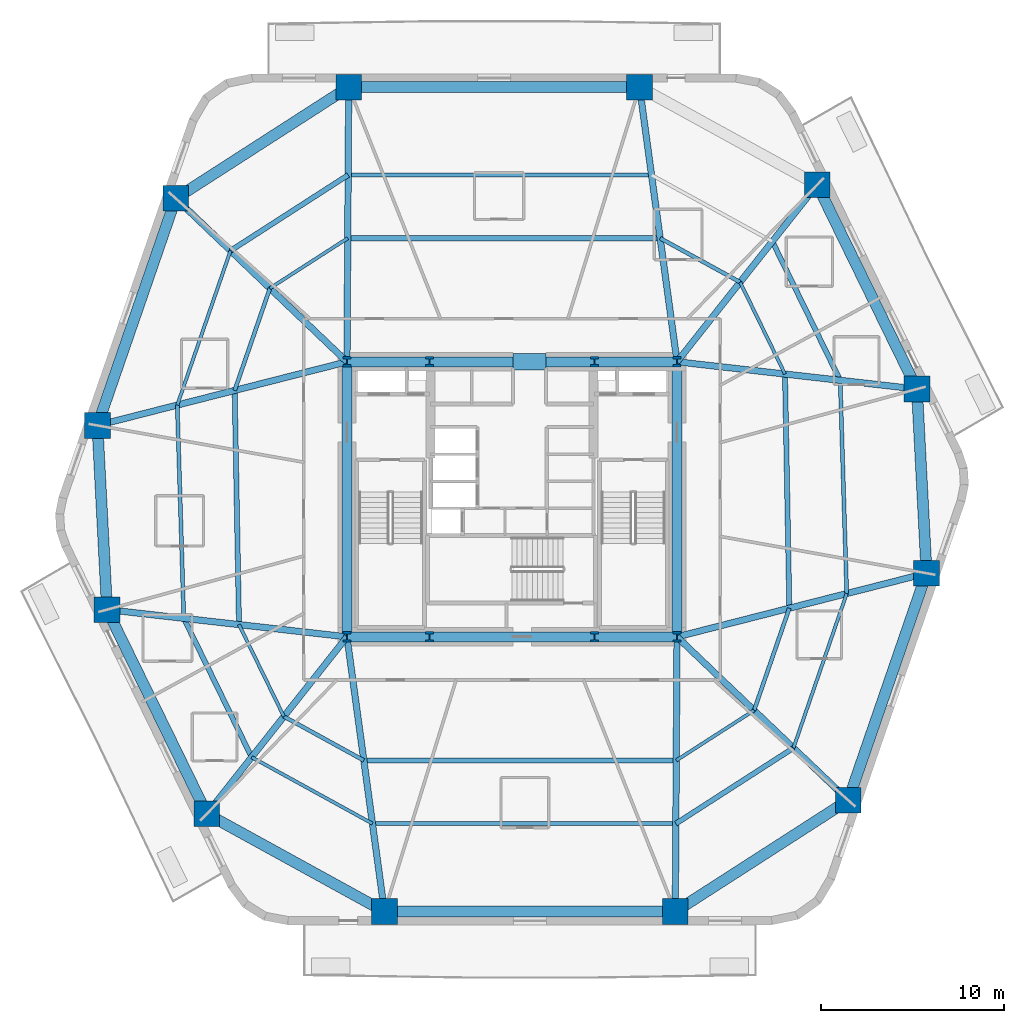
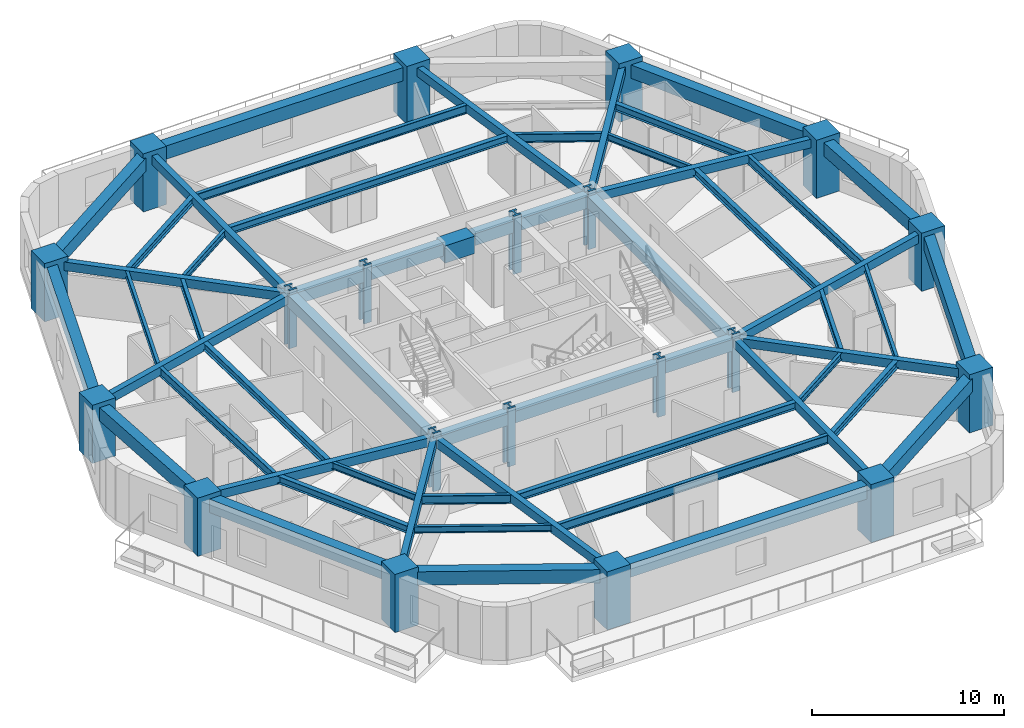
# One storey, part 1 of 10: 55 beams, 20 columns.
"""IFC4 building model written with IfcOpenShell, lengths in metres."""

from ifc_helpers import new_model, si_unit, direction, frame, origin, origin_2d, place, context, subcontext, project, spatial, rectangle, i_section, extrude, material, material_profile, profile_set, type_object, element, save


model = new_model("IFC4")

# Units and contexts
model_context = context("Model", 3, precision=1e-05, world=origin(), true_north=direction((0.0, 1.0)))
body_context = subcontext(model_context, "Body", "Model", "MODEL_VIEW")
ifc_project = project(units=[si_unit("LENGTHUNIT", "METRE"), si_unit("AREAUNIT", "SQUARE_METRE"), si_unit("VOLUMEUNIT", "CUBIC_METRE"), si_unit("PLANEANGLEUNIT", "RADIAN"), si_unit("MASSUNIT", "GRAM", prefix="KILO")], contexts=[model_context])

# Site, building, storey
site_placement = place(None, origin())
site = spatial("IfcSite", under=ifc_project, at=site_placement, CompositionType="ELEMENT")
building_placement = place(site_placement, origin())
building = spatial("IfcBuilding", under=site, at=building_placement, Name="Kilnhurst Terrace Hotel", CompositionType="ELEMENT")
storey_placement = place(building_placement, frame((0.0, 0.0, 63.800048828125)))
storey = spatial("IfcBuildingStorey", under=building, at=storey_placement, Name="L14", CompositionType="ELEMENT", Elevation=63.800048828125)

# Columns
ifc_material_1 = material(Name="Concrete C80/95", Category="concrete")
ifc_material_profile_1 = material_profile(ifc_material_1, rectangle(XDim=1.39990234375, YDim=1.39990234375, at=origin_2d()), Name="RC1400X1400")
ifc_profile_set_1 = profile_set([ifc_material_profile_1], Name="Concrete C80/95")
column_type_1 = type_object("IfcColumnType", Name="COL-RC-1400", PredefinedType="COLUMN", material=ifc_profile_set_1)
for number, where, z_axis, x_axis, name in (
    (1, (-6.955078125, -22.47998046875, 0.0), (0.0, 0.0, 1.0), (1.0, 0.0, 0.0), "L14 Structural Column PC-F11"),
    (2, (8.905029296875, -22.47998046875, 0.0), (0.0, 0.0, 1.0), (1.0, 0.0, 0.0), "L14 Structural Column PC-F12"),
    (3, (18.337890625, -16.410888671875, 0.0), (0.0, 0.0, 1.0), (1.0, 0.0, 0.0), "L14 Structural Column PC-F21"),
    (4, (22.60888671875, -4.029052734375, 0.0), (0.0, 0.0, 1.0), (1.0, 0.0, 0.0), "L14 Structural Column PC-F22"),
    (5, (22.083984375, 6.013916015625, 0.0), (0.0, 0.0, 1.0), (1.0, 0.0, 0.0), "L14 Structural Column PC-F31"),
    (6, (16.64306640625, 17.152099609375, 0.0), (0.0, 0.0, 1.0), (1.0, 0.0, 0.0), "L14 Structural Column PC-F32"),
    (7, (6.955078125, 22.47998046875, 0.0), (0.0, 0.0, 1.0), (1.0, 0.0, 0.0), "L14 Structural Column PC-F41"),
    (8, (-8.905029296875, 22.47998046875, 0.0), (0.0, 0.0, 1.0), (1.0, 0.0, 0.0), "L14 Structural Column PC-F42"),
    (9, (-18.337890625, 16.410888671875, 0.0), (0.0, 0.0, 1.0), (1.0, 0.0, 0.0), "L14 Structural Column PC-F51"),
    (10, (-22.60888671875, 4.029052734375, 0.0), (0.0, 0.0, 1.0), (1.0, 0.0, 0.0), "L14 Structural Column PC-F52"),
    (11, (-22.083984375, -6.013916015625, 0.0), (0.0, 0.0, 1.0), (1.0, 0.0, 0.0), "L14 Structural Column PC-F61"),
    (12, (-16.64306640625, -17.152099609375, 0.0), (0.0, 0.0, 1.0), (1.0, 0.0, 0.0), "L14 Structural Column PC-F62"),
):
    element("IfcColumn", number, at=place(storey_placement, frame(where, z_axis=z_axis, x_axis=x_axis)), inside=storey, type_object=column_type_1, Name=name, PredefinedType="COLUMN", context=body_context, shape_type="SweptSolid", body=[
        extrude(rectangle(XDim=1.39990234375, YDim=1.39990234375, at=origin_2d()), origin(), (0.0, 0.0, 1.0), 3.699951171875),
    ])
ifc_material_2 = material(Name="Steel ASTM A992 Grade 50", Category="steel")
ifc_material_profile_2 = material_profile(ifc_material_2, i_section(OverallWidth=0.454345703125, OverallDepth=0.569091796875, WebThickness=0.077880859375, FlangeThickness=0.124755859375, at=origin_2d()), Name="W14X730")
ifc_profile_set_2 = profile_set([ifc_material_profile_2], Name="Steel ASTM A992 Grade 50")
column_type_2 = type_object("IfcColumnType", Name="COL-STL-W14X730", PredefinedType="COLUMN", material=ifc_profile_set_2)
for number, where, z_axis, x_axis, name in (
    (13, (-9.0, -7.5, 0.0), (0.0, 0.0, 1.0), (1.0, 0.0, 0.0), "L14 Structural Column CC-SW"),
    (14, (-4.5, -7.5, 0.0), (0.0, 0.0, 1.0), (1.0, 0.0, 0.0), "L14 Structural Column CC-SC1"),
    (15, (4.5, -7.5, 0.0), (0.0, 0.0, 1.0), (1.0, 0.0, 0.0), "L14 Structural Column CC-SC2"),
    (16, (9.0, -7.5, 0.0), (0.0, 0.0, 1.0), (1.0, 0.0, 0.0), "L14 Structural Column CC-SE"),
    (17, (9.0, 7.5, 0.0), (0.0, 0.0, 1.0), (1.0, 0.0, 0.0), "L14 Structural Column CC-NE"),
    (18, (4.5, 7.5, 0.0), (0.0, 0.0, 1.0), (1.0, 0.0, 0.0), "L14 Structural Column CC-NC2"),
    (19, (-4.5, 7.5, 0.0), (0.0, 0.0, 1.0), (1.0, 0.0, 0.0), "L14 Structural Column CC-NC1"),
    (20, (-9.0, 7.5, 0.0), (0.0, 0.0, 1.0), (1.0, 0.0, 0.0), "L14 Structural Column CC-NW"),
):
    element("IfcColumn", number, at=place(storey_placement, frame(where, z_axis=z_axis, x_axis=x_axis)), inside=storey, type_object=column_type_2, Name=name, PredefinedType="COLUMN", context=body_context, shape_type="SweptSolid", body=[
        extrude(i_section(OverallWidth=0.454345703125, OverallDepth=0.569091796875, WebThickness=0.077880859375, FlangeThickness=0.124755859375, at=origin_2d()), origin(), (0.0, 0.0, 1.0), 3.699951171875),
    ])

# Beams
ifc_material_3 = material(Name="Concrete C50/60", Category="concrete")
ifc_material_profile_3 = material_profile(ifc_material_3, rectangle(XDim=0.35009765625, YDim=0.550048828125, at=origin_2d()), Name="RC350X550")
ifc_profile_set_3 = profile_set([ifc_material_profile_3], Name="Concrete C50/60")
beam_type_1 = type_object("IfcBeamType", Name="BM-RAD-350X550", PredefinedType="BEAM", material=ifc_profile_set_3)
beam_1_placement = place(storey_placement, frame((-9.0, -7.5, 3.125), z_axis=(0.13525588246, -0.990810701527, 0.0), x_axis=(0.990810701527, 0.13525588246, 0.0)))
element("IfcBeam", 21, at=beam_1_placement, inside=storey, type_object=beam_type_1, Name="L14 Radial Floor Beam 1", PredefinedType="BEAM", context=body_context, shape_type="SweptSolid", body=[
    extrude(rectangle(XDim=0.35009765625, YDim=0.550048828125, at=origin_2d()), origin(), (0.0, 0.0, 1.0), 15.118896484375),
])
beam_2_placement = place(storey_placement, frame((9.0, -7.5, 3.125), z_axis=(-0.006339714179, -0.99997990381, 0.0), x_axis=(0.99997990381, -0.006339714179, 0.0)))
element("IfcBeam", 22, at=beam_2_placement, inside=storey, type_object=beam_type_1, Name="L14 Radial Floor Beam 2", PredefinedType="BEAM", context=body_context, shape_type="SweptSolid", body=[
    extrude(rectangle(XDim=0.35009765625, YDim=0.550048828125, at=origin_2d()), origin(), (0.0, 0.0, 1.0), 14.980224609375),
])
beam_3_placement = place(storey_placement, frame((9.0, -7.5, 3.125), z_axis=(0.723454302813, -0.690372270403, 0.0), x_axis=(0.690372270403, 0.723454302813, 0.0)))
element("IfcBeam", 23, at=beam_3_placement, inside=storey, type_object=beam_type_1, Name="L14 Radial Floor Beam 3", PredefinedType="BEAM", context=body_context, shape_type="SweptSolid", body=[
    extrude(rectangle(XDim=0.35009765625, YDim=0.550048828125, at=origin_2d()), origin(), (0.0, 0.0, 1.0), 12.907470703125),
])
beam_4_placement = place(storey_placement, frame((9.0, -7.5, 3.125), z_axis=(0.968980179812, 0.247138445273, 0.0), x_axis=(-0.247138445273, 0.968980179812, 0.0)))
element("IfcBeam", 24, at=beam_4_placement, inside=storey, type_object=beam_type_1, Name="L14 Radial Floor Beam 4", PredefinedType="BEAM", context=body_context, shape_type="SweptSolid", body=[
    extrude(rectangle(XDim=0.35009765625, YDim=0.550048828125, at=origin_2d()), origin(), (0.0, 0.0, 1.0), 14.04443359375),
])
beam_5_placement = place(storey_placement, frame((9.0, 7.5, 3.125), z_axis=(0.993611493249, -0.112854776075, 0.0), x_axis=(0.112854776075, 0.993611493249, 0.0)))
element("IfcBeam", 25, at=beam_5_placement, inside=storey, type_object=beam_type_1, Name="L14 Radial Floor Beam 5", PredefinedType="BEAM", context=body_context, shape_type="SweptSolid", body=[
    extrude(rectangle(XDim=0.35009765625, YDim=0.550048828125, at=origin_2d()), origin(), (0.0, 0.0, 1.0), 13.168212890625),
])
beam_6_placement = place(storey_placement, frame((9.0, 7.5, 3.125), z_axis=(0.62079385707, 0.783973843329, 0.0), x_axis=(-0.783973843329, 0.62079385707, 0.0)))
element("IfcBeam", 26, at=beam_6_placement, inside=storey, type_object=beam_type_1, Name="L14 Radial Floor Beam 6", PredefinedType="BEAM", context=body_context, shape_type="SweptSolid", body=[
    extrude(rectangle(XDim=0.35009765625, YDim=0.550048828125, at=origin_2d()), origin(), (0.0, 0.0, 1.0), 12.311767578125),
])
beam_7_placement = place(storey_placement, frame((9.0, 7.5, 3.125), z_axis=(-0.13525588246, 0.990810701527, 0.0), x_axis=(-0.990810701527, -0.13525588246, 0.0)))
element("IfcBeam", 27, at=beam_7_placement, inside=storey, type_object=beam_type_1, Name="L14 Radial Floor Beam 7", PredefinedType="BEAM", context=body_context, shape_type="SweptSolid", body=[
    extrude(rectangle(XDim=0.35009765625, YDim=0.550048828125, at=origin_2d()), origin(), (0.0, 0.0, 1.0), 15.118896484375),
])
beam_8_placement = place(storey_placement, frame((-9.0, 7.5, 3.125), z_axis=(0.006339714179, 0.99997990381, 0.0), x_axis=(-0.99997990381, 0.006339714179, 0.0)))
element("IfcBeam", 28, at=beam_8_placement, inside=storey, type_object=beam_type_1, Name="L14 Radial Floor Beam 8", PredefinedType="BEAM", context=body_context, shape_type="SweptSolid", body=[
    extrude(rectangle(XDim=0.35009765625, YDim=0.550048828125, at=origin_2d()), origin(), (0.0, 0.0, 1.0), 14.980224609375),
])
beam_9_placement = place(storey_placement, frame((-9.0, 7.5, 3.125), z_axis=(-0.723454302813, 0.690372270403, 0.0), x_axis=(-0.690372270403, -0.723454302813, 0.0)))
element("IfcBeam", 29, at=beam_9_placement, inside=storey, type_object=beam_type_1, Name="L14 Radial Floor Beam 9", PredefinedType="BEAM", context=body_context, shape_type="SweptSolid", body=[
    extrude(rectangle(XDim=0.35009765625, YDim=0.550048828125, at=origin_2d()), origin(), (0.0, 0.0, 1.0), 12.907470703125),
])
beam_10_placement = place(storey_placement, frame((-9.0, 7.5, 3.125), z_axis=(-0.968980179812, -0.247138445273, 0.0), x_axis=(0.247138445273, -0.968980179812, 0.0)))
element("IfcBeam", 30, at=beam_10_placement, inside=storey, type_object=beam_type_1, Name="L14 Radial Floor Beam 10", PredefinedType="BEAM", context=body_context, shape_type="SweptSolid", body=[
    extrude(rectangle(XDim=0.35009765625, YDim=0.550048828125, at=origin_2d()), origin(), (0.0, 0.0, 1.0), 14.04443359375),
])
beam_11_placement = place(storey_placement, frame((-9.0, -7.5, 3.125), z_axis=(-0.993611493249, 0.112854776075, 0.0), x_axis=(-0.112854776075, -0.993611493249, 0.0)))
element("IfcBeam", 31, at=beam_11_placement, inside=storey, type_object=beam_type_1, Name="L14 Radial Floor Beam 11", PredefinedType="BEAM", context=body_context, shape_type="SweptSolid", body=[
    extrude(rectangle(XDim=0.35009765625, YDim=0.550048828125, at=origin_2d()), origin(), (0.0, 0.0, 1.0), 13.168212890625),
])
beam_12_placement = place(storey_placement, frame((-9.0, -7.5, 3.125), z_axis=(-0.62079385707, -0.783973843329, 0.0), x_axis=(0.783973843329, -0.62079385707, 0.0)))
element("IfcBeam", 32, at=beam_12_placement, inside=storey, type_object=beam_type_1, Name="L14 Radial Floor Beam 12", PredefinedType="BEAM", context=body_context, shape_type="SweptSolid", body=[
    extrude(rectangle(XDim=0.35009765625, YDim=0.550048828125, at=origin_2d()), origin(), (0.0, 0.0, 1.0), 12.311767578125),
])
ifc_material_profile_4 = material_profile(ifc_material_3, rectangle(XDim=0.550048828125, YDim=0.75, at=origin_2d()), Name="RC550X750")
ifc_profile_set_4 = profile_set([ifc_material_profile_4], Name="Concrete C50/60")
beam_type_2 = type_object("IfcBeamType", Name="BM-SPN-550X750", PredefinedType="SPANDREL", material=ifc_profile_set_4)
beam_13_placement = place(storey_placement, frame((-9.0, 7.5, 3.02490234375), z_axis=(1.0, 0.0, 0.0), x_axis=(0.0, 1.0, 0.0)))
element("IfcBeam", 33, at=beam_13_placement, inside=storey, type_object=beam_type_2, Name="L14 Core Tie Beam CC-NW to CC-NC1", PredefinedType="SPANDREL", context=body_context, shape_type="SweptSolid", body=[
    extrude(rectangle(XDim=0.550048828125, YDim=0.75, at=origin_2d()), origin(), (0.0, 0.0, 1.0), 4.5),
])
beam_14_placement = place(storey_placement, frame((-4.5, 7.5, 3.02490234375), z_axis=(1.0, 0.0, 0.0), x_axis=(0.0, 1.0, 0.0)))
element("IfcBeam", 34, at=beam_14_placement, inside=storey, type_object=beam_type_2, Name="L14 Core Tie Beam CC-NC1 to CC-NC2", PredefinedType="SPANDREL", context=body_context, shape_type="SweptSolid", body=[
    extrude(rectangle(XDim=0.550048828125, YDim=0.75, at=origin_2d()), origin(), (0.0, 0.0, 1.0), 9.0),
])
for number, where, z_axis, x_axis, name in (
    (35, (4.5, 7.5, 3.02490234375), (1.0, 0.0, 0.0), (0.0, 1.0, 0.0), "L14 Core Tie Beam CC-NC2 to CC-NE"),
    (36, (-9.0, -7.5, 3.02490234375), (1.0, 0.0, 0.0), (0.0, 1.0, 0.0), "L14 Core Tie Beam CC-SW to CC-SC1"),
):
    element("IfcBeam", number, at=place(storey_placement, frame(where, z_axis=z_axis, x_axis=x_axis)), inside=storey, type_object=beam_type_2, Name=name, PredefinedType="SPANDREL", context=body_context, shape_type="SweptSolid", body=[
        extrude(rectangle(XDim=0.550048828125, YDim=0.75, at=origin_2d()), origin(), (0.0, 0.0, 1.0), 4.5),
    ])
beam_15_placement = place(storey_placement, frame((-4.5, -7.5, 3.02490234375), z_axis=(1.0, 0.0, 0.0), x_axis=(0.0, 1.0, 0.0)))
element("IfcBeam", 37, at=beam_15_placement, inside=storey, type_object=beam_type_2, Name="L14 Core Tie Beam CC-SC1 to CC-SC2", PredefinedType="SPANDREL", context=body_context, shape_type="SweptSolid", body=[
    extrude(rectangle(XDim=0.550048828125, YDim=0.75, at=origin_2d()), origin(), (0.0, 0.0, 1.0), 9.0),
])
beam_16_placement = place(storey_placement, frame((4.5, -7.5, 3.02490234375), z_axis=(1.0, 0.0, 0.0), x_axis=(0.0, 1.0, 0.0)))
element("IfcBeam", 38, at=beam_16_placement, inside=storey, type_object=beam_type_2, Name="L14 Core Tie Beam CC-SC2 to CC-SE", PredefinedType="SPANDREL", context=body_context, shape_type="SweptSolid", body=[
    extrude(rectangle(XDim=0.550048828125, YDim=0.75, at=origin_2d()), origin(), (0.0, 0.0, 1.0), 4.5),
])
for number, where, z_axis, x_axis, name in (
    (39, (-9.0, -7.5, 3.02490234375), (0.0, 1.0, 0.0), (-1.0, 0.0, 0.0), "L14 Core Tie Beam CC-SW to CC-NW"),
    (40, (9.0, -7.5, 3.02490234375), (0.0, 1.0, 0.0), (-1.0, 0.0, 0.0), "L14 Core Tie Beam CC-SE to CC-NE"),
):
    element("IfcBeam", number, at=place(storey_placement, frame(where, z_axis=z_axis, x_axis=x_axis)), inside=storey, type_object=beam_type_2, Name=name, PredefinedType="SPANDREL", context=body_context, shape_type="SweptSolid", body=[
        extrude(rectangle(XDim=0.550048828125, YDim=0.75, at=origin_2d()), origin(), (0.0, 0.0, 1.0), 15.0),
    ])
ifc_material_profile_5 = material_profile(ifc_material_3, rectangle(XDim=0.60009765625, YDim=0.85009765625, at=origin_2d()), Name="RC600X850")
ifc_profile_set_5 = profile_set([ifc_material_profile_5], Name="Concrete C50/60")
beam_type_3 = type_object("IfcBeamType", Name="BM-SPN-600X850", PredefinedType="SPANDREL", material=ifc_profile_set_5)
beam_17_placement = place(storey_placement, frame((-6.955078125, -22.47998046875, 2.974853515625), z_axis=(1.0, 0.0, 0.0), x_axis=(0.0, 1.0, 0.0)))
element("IfcBeam", 41, at=beam_17_placement, inside=storey, type_object=beam_type_3, Name="L14 Perimeter Spandrel Beam 1", PredefinedType="SPANDREL", context=body_context, shape_type="SweptSolid", body=[
    extrude(rectangle(XDim=0.60009765625, YDim=0.85009765625, at=origin_2d()), origin(), (0.0, 0.0, 1.0), 15.860107421875),
])
beam_18_placement = place(storey_placement, frame((8.905029296875, -22.47998046875, 2.974853515625), z_axis=(0.840971204873, 0.541079876335, 0.0), x_axis=(-0.541079876335, 0.840971204873, 0.0)))
element("IfcBeam", 42, at=beam_18_placement, inside=storey, type_object=beam_type_3, Name="L14 Perimeter Spandrel Beam 2", PredefinedType="SPANDREL", context=body_context, shape_type="SweptSolid", body=[
    extrude(rectangle(XDim=0.60009765625, YDim=0.85009765625, at=origin_2d()), origin(), (0.0, 0.0, 1.0), 11.216552734375),
])
beam_19_placement = place(storey_placement, frame((18.337890625, -16.410888671875, 2.974853515625), z_axis=(0.326086040191, 0.945340094565, 0.0), x_axis=(-0.945340094565, 0.326086040191, 0.0)))
element("IfcBeam", 43, at=beam_19_placement, inside=storey, type_object=beam_type_3, Name="L14 Perimeter Spandrel Beam 3", PredefinedType="SPANDREL", context=body_context, shape_type="SweptSolid", body=[
    extrude(rectangle(XDim=0.60009765625, YDim=0.85009765625, at=origin_2d()), origin(), (0.0, 0.0, 1.0), 13.09765625),
])
beam_20_placement = place(storey_placement, frame((22.60888671875, -4.029052734375, 2.974853515625), z_axis=(-0.052194414298, 0.998636942595, 0.0), x_axis=(-0.998636942595, -0.052194414298, 0.0)))
element("IfcBeam", 44, at=beam_20_placement, inside=storey, type_object=beam_type_3, Name="L14 Perimeter Spandrel Beam 4", PredefinedType="SPANDREL", context=body_context, shape_type="SweptSolid", body=[
    extrude(rectangle(XDim=0.60009765625, YDim=0.85009765625, at=origin_2d()), origin(), (0.0, 0.0, 1.0), 10.056640625),
])
beam_21_placement = place(storey_placement, frame((22.083984375, 6.013916015625, 2.974853515625), z_axis=(-0.438922573627, 0.898524888003, 0.0), x_axis=(-0.898524888003, -0.438922573627, 0.0)))
element("IfcBeam", 45, at=beam_21_placement, inside=storey, type_object=beam_type_3, Name="L14 Perimeter Spandrel Beam 5", PredefinedType="SPANDREL", context=body_context, shape_type="SweptSolid", body=[
    extrude(rectangle(XDim=0.60009765625, YDim=0.85009765625, at=origin_2d()), origin(), (0.0, 0.0, 1.0), 12.39599609375),
])
beam_22_placement = place(storey_placement, frame((6.955078125, 22.47998046875, 2.974853515625), z_axis=(-1.0, 0.0, 0.0), x_axis=(0.0, -1.0, 0.0)))
element("IfcBeam", 46, at=beam_22_placement, inside=storey, type_object=beam_type_3, Name="L14 Perimeter Spandrel Beam 7", PredefinedType="SPANDREL", context=body_context, shape_type="SweptSolid", body=[
    extrude(rectangle(XDim=0.60009765625, YDim=0.85009765625, at=origin_2d()), origin(), (0.0, 0.0, 1.0), 15.860107421875),
])
beam_23_placement = place(storey_placement, frame((-8.905029296875, 22.47998046875, 2.974853515625), z_axis=(-0.840971204873, -0.541079876335, 0.0), x_axis=(0.541079876335, -0.840971204873, 0.0)))
element("IfcBeam", 47, at=beam_23_placement, inside=storey, type_object=beam_type_3, Name="L14 Perimeter Spandrel Beam 8", PredefinedType="SPANDREL", context=body_context, shape_type="SweptSolid", body=[
    extrude(rectangle(XDim=0.60009765625, YDim=0.85009765625, at=origin_2d()), origin(), (0.0, 0.0, 1.0), 11.216552734375),
])
beam_24_placement = place(storey_placement, frame((-18.337890625, 16.410888671875, 2.974853515625), z_axis=(-0.326086040191, -0.945340094565, 0.0), x_axis=(0.945340094565, -0.326086040191, 0.0)))
element("IfcBeam", 48, at=beam_24_placement, inside=storey, type_object=beam_type_3, Name="L14 Perimeter Spandrel Beam 9", PredefinedType="SPANDREL", context=body_context, shape_type="SweptSolid", body=[
    extrude(rectangle(XDim=0.60009765625, YDim=0.85009765625, at=origin_2d()), origin(), (0.0, 0.0, 1.0), 13.09765625),
])
beam_25_placement = place(storey_placement, frame((-22.60888671875, 4.029052734375, 2.974853515625), z_axis=(0.052194414298, -0.998636942595, 0.0), x_axis=(0.998636942595, 0.052194414298, 0.0)))
element("IfcBeam", 49, at=beam_25_placement, inside=storey, type_object=beam_type_3, Name="L14 Perimeter Spandrel Beam 10", PredefinedType="SPANDREL", context=body_context, shape_type="SweptSolid", body=[
    extrude(rectangle(XDim=0.60009765625, YDim=0.85009765625, at=origin_2d()), origin(), (0.0, 0.0, 1.0), 10.056640625),
])
beam_26_placement = place(storey_placement, frame((-22.083984375, -6.013916015625, 2.974853515625), z_axis=(0.438922573627, -0.898524888003, 0.0), x_axis=(0.898524888003, 0.438922573627, 0.0)))
element("IfcBeam", 50, at=beam_26_placement, inside=storey, type_object=beam_type_3, Name="L14 Perimeter Spandrel Beam 11", PredefinedType="SPANDREL", context=body_context, shape_type="SweptSolid", body=[
    extrude(rectangle(XDim=0.60009765625, YDim=0.85009765625, at=origin_2d()), origin(), (0.0, 0.0, 1.0), 12.39599609375),
])
beam_27_placement = place(storey_placement, frame((-16.64306640625, -17.152099609375, 2.974853515625), z_axis=(0.876235488803, -0.481883147829, 0.0), x_axis=(0.481883147829, 0.876235488803, 0.0)))
element("IfcBeam", 51, at=beam_27_placement, inside=storey, type_object=beam_type_3, Name="L14 Perimeter Spandrel Beam 12", PredefinedType="SPANDREL", context=body_context, shape_type="SweptSolid", body=[
    extrude(rectangle(XDim=0.60009765625, YDim=0.85009765625, at=origin_2d()), origin(), (0.0, 0.0, 1.0), 11.056396484375),
])
ifc_material_profile_6 = material_profile(ifc_material_2, i_section(OverallWidth=0.180908203125, OverallDepth=0.417236328125, WebThickness=0.010986328125, FlangeThickness=0.018310546875, at=origin_2d()), Name="W16X57")
ifc_profile_set_6 = profile_set([ifc_material_profile_6], Name="Steel ASTM A992 Grade 50")
beam_type_4 = type_object("IfcBeamType", Name="JST-STL-W16X57", PredefinedType="JOIST", material=ifc_profile_set_6)
for number, where, z_axis, x_axis, name in (
    (52, (15.349853515625, -13.5595703125, 3.19091796875), (0.326078536201, 0.945342682961, 0.0), (-0.945342682961, 0.326078536201, 0.0), "L14 Secondary Floor Steel Joist OUT.3"),
    (53, (-15.349853515625, 13.5595703125, 3.19091796875), (-0.326078536201, -0.945342682961, 0.0), (0.945342682961, -0.326078536201, 0.0), "L14 Secondary Floor Steel Joist OUT.9"),
):
    element("IfcBeam", number, at=place(storey_placement, frame(where, z_axis=z_axis, x_axis=x_axis)), inside=storey, type_object=beam_type_4, Name=name, PredefinedType="JOIST", context=body_context, shape_type="SweptSolid", body=[
        extrude(i_section(OverallWidth=0.180908203125, OverallDepth=0.417236328125, WebThickness=0.010986328125, FlangeThickness=0.018310546875, at=origin_2d()), origin(), (0.0, 0.0, 1.0), 8.90673828125),
    ])
beam_28_placement = place(storey_placement, frame((-14.197265625, -14.0634765625, 3.19091796875), z_axis=(0.876246073632, -0.481863900334, 0.0), x_axis=(0.481863900334, 0.876246073632, 0.0)))
element("IfcBeam", 54, at=beam_28_placement, inside=storey, type_object=beam_type_4, Name="L14 Secondary Floor Steel Joist OUT.12", PredefinedType="JOIST", context=body_context, shape_type="SweptSolid", body=[
    extrude(i_section(OverallWidth=0.180908203125, OverallDepth=0.417236328125, WebThickness=0.010986328125, FlangeThickness=0.018310546875, at=origin_2d()), origin(), (0.0, 0.0, 1.0), 7.518310546875),
])
beam_29_placement = place(storey_placement, frame((8.957275390625, -14.240966796875, 3.19091796875), z_axis=(0.840988265896, 0.541053358389, 0.0), x_axis=(-0.541053358389, 0.840988265896, 0.0)))
element("IfcBeam", 55, at=beam_29_placement, inside=storey, type_object=beam_type_4, Name="L14 Secondary Floor Steel Joist IN.2", PredefinedType="JOIST", context=body_context, shape_type="SweptSolid", body=[
    extrude(i_section(OverallWidth=0.180908203125, OverallDepth=0.417236328125, WebThickness=0.010986328125, FlangeThickness=0.018310546875, at=origin_2d()), origin(), (0.0, 0.0, 1.0), 5.04736328125),
])
beam_30_placement = place(storey_placement, frame((14.8876953125, 6.831298828125, 3.19091796875), z_axis=(-0.438896112695, 0.898537813484, 0.0), x_axis=(-0.898537813484, -0.438896112695, 0.0)))
element("IfcBeam", 56, at=beam_30_placement, inside=storey, type_object=beam_type_4, Name="L14 Secondary Floor Steel Joist IN.5", PredefinedType="JOIST", context=body_context, shape_type="SweptSolid", body=[
    extrude(i_section(OverallWidth=0.180908203125, OverallDepth=0.417236328125, WebThickness=0.010986328125, FlangeThickness=0.018310546875, at=origin_2d()), origin(), (0.0, 0.0, 1.0), 5.578125),
])
beam_31_placement = place(storey_placement, frame((-8.957275390625, 14.240966796875, 3.19091796875), z_axis=(-0.840988265896, -0.541053358389, 0.0), x_axis=(0.541053358389, -0.840988265896, 0.0)))
element("IfcBeam", 57, at=beam_31_placement, inside=storey, type_object=beam_type_4, Name="L14 Secondary Floor Steel Joist IN.8", PredefinedType="JOIST", context=body_context, shape_type="SweptSolid", body=[
    extrude(i_section(OverallWidth=0.180908203125, OverallDepth=0.417236328125, WebThickness=0.010986328125, FlangeThickness=0.018310546875, at=origin_2d()), origin(), (0.0, 0.0, 1.0), 5.04736328125),
])
beam_32_placement = place(storey_placement, frame((-14.8876953125, -6.831298828125, 3.19091796875), z_axis=(0.438896112695, -0.898537813484, 0.0), x_axis=(0.898537813484, 0.438896112695, 0.0)))
element("IfcBeam", 58, at=beam_32_placement, inside=storey, type_object=beam_type_4, Name="L14 Secondary Floor Steel Joist IN.11", PredefinedType="JOIST", context=body_context, shape_type="SweptSolid", body=[
    extrude(i_section(OverallWidth=0.180908203125, OverallDepth=0.417236328125, WebThickness=0.010986328125, FlangeThickness=0.018310546875, at=origin_2d()), origin(), (0.0, 0.0, 1.0), 5.578125),
])
ifc_material_profile_7 = material_profile(ifc_material_2, i_section(OverallWidth=0.279296875, OverallDepth=0.462890625, WebThickness=0.0107421875, FlangeThickness=0.017333984375, at=origin_2d()), Name="W18X76")
ifc_profile_set_7 = profile_set([ifc_material_profile_7], Name="Steel ASTM A992 Grade 50")
beam_type_5 = type_object("IfcBeamType", Name="JST-STL-W18X76", PredefinedType="JOIST", material=ifc_profile_set_7)
beam_33_placement = place(storey_placement, frame((8.935302734375, -17.686279296875, 3.16796875), z_axis=(0.840995388529, 0.54104228714, 0.0), x_axis=(-0.54104228714, 0.840995388529, 0.0)))
element("IfcBeam", 59, at=beam_33_placement, inside=storey, type_object=beam_type_5, Name="L14 Secondary Floor Steel Joist OUT.2", PredefinedType="JOIST", context=body_context, shape_type="SweptSolid", body=[
    extrude(i_section(OverallWidth=0.279296875, OverallDepth=0.462890625, WebThickness=0.0107421875, FlangeThickness=0.017333984375, at=origin_2d()), origin(), (0.0, 0.0, 1.0), 7.62744140625),
])
beam_34_placement = place(storey_placement, frame((17.897216796875, 6.489501953125, 3.16796875), z_axis=(-0.438934275949, 0.898519171413, 0.0), x_axis=(-0.898519171413, -0.438934275949, 0.0)))
element("IfcBeam", 60, at=beam_34_placement, inside=storey, type_object=beam_type_5, Name="L14 Secondary Floor Steel Joist OUT.5", PredefinedType="JOIST", context=body_context, shape_type="SweptSolid", body=[
    extrude(i_section(OverallWidth=0.279296875, OverallDepth=0.462890625, WebThickness=0.0107421875, FlangeThickness=0.017333984375, at=origin_2d()), origin(), (0.0, 0.0, 1.0), 8.429443359375),
])
beam_35_placement = place(storey_placement, frame((-8.935302734375, 17.686279296875, 3.16796875), z_axis=(-0.840995388529, -0.54104228714, 0.0), x_axis=(0.54104228714, -0.840995388529, 0.0)))
element("IfcBeam", 61, at=beam_35_placement, inside=storey, type_object=beam_type_5, Name="L14 Secondary Floor Steel Joist OUT.8", PredefinedType="JOIST", context=body_context, shape_type="SweptSolid", body=[
    extrude(i_section(OverallWidth=0.279296875, OverallDepth=0.462890625, WebThickness=0.0107421875, FlangeThickness=0.017333984375, at=origin_2d()), origin(), (0.0, 0.0, 1.0), 7.62744140625),
])
beam_36_placement = place(storey_placement, frame((-17.897216796875, -6.489501953125, 3.16796875), z_axis=(0.438934275949, -0.898519171413, 0.0), x_axis=(0.898519171413, 0.438934275949, 0.0)))
element("IfcBeam", 62, at=beam_36_placement, inside=storey, type_object=beam_type_5, Name="L14 Secondary Floor Steel Joist OUT.11", PredefinedType="JOIST", context=body_context, shape_type="SweptSolid", body=[
    extrude(i_section(OverallWidth=0.279296875, OverallDepth=0.462890625, WebThickness=0.0107421875, FlangeThickness=0.017333984375, at=origin_2d()), origin(), (0.0, 0.0, 1.0), 8.429443359375),
])
beam_37_placement = place(storey_placement, frame((-8.079833984375, -14.240966796875, 3.16796875), z_axis=(1.0, 0.0, 0.0), x_axis=(0.0, 1.0, 0.0)))
element("IfcBeam", 63, at=beam_37_placement, inside=storey, type_object=beam_type_5, Name="L14 Secondary Floor Steel Joist IN.1", PredefinedType="JOIST", context=body_context, shape_type="SweptSolid", body=[
    extrude(i_section(OverallWidth=0.279296875, OverallDepth=0.462890625, WebThickness=0.0107421875, FlangeThickness=0.017333984375, at=origin_2d()), origin(), (0.0, 0.0, 1.0), 17.037109375),
])
beam_38_placement = place(storey_placement, frame((15.1240234375, -5.93798828125, 3.16796875), z_axis=(-0.018504373716, 0.999828779418, 0.0), x_axis=(-0.999828779418, -0.018504373716, 0.0)))
element("IfcBeam", 64, at=beam_38_placement, inside=storey, type_object=beam_type_5, Name="L14 Secondary Floor Steel Joist IN.4", PredefinedType="JOIST", context=body_context, shape_type="SweptSolid", body=[
    extrude(i_section(OverallWidth=0.279296875, OverallDepth=0.462890625, WebThickness=0.0107421875, FlangeThickness=0.017333984375, at=origin_2d()), origin(), (0.0, 0.0, 1.0), 12.771484375),
])
beam_39_placement = place(storey_placement, frame((8.079833984375, 14.240966796875, 3.16796875), z_axis=(-1.0, 0.0, 0.0), x_axis=(0.0, -1.0, 0.0)))
element("IfcBeam", 65, at=beam_39_placement, inside=storey, type_object=beam_type_5, Name="L14 Secondary Floor Steel Joist IN.7", PredefinedType="JOIST", context=body_context, shape_type="SweptSolid", body=[
    extrude(i_section(OverallWidth=0.279296875, OverallDepth=0.462890625, WebThickness=0.0107421875, FlangeThickness=0.017333984375, at=origin_2d()), origin(), (0.0, 0.0, 1.0), 17.037109375),
])
beam_40_placement = place(storey_placement, frame((-15.1240234375, 5.93798828125, 3.16796875), z_axis=(0.018504373716, -0.999828779418, 0.0), x_axis=(0.999828779418, 0.018504373716, 0.0)))
element("IfcBeam", 66, at=beam_40_placement, inside=storey, type_object=beam_type_5, Name="L14 Secondary Floor Steel Joist IN.10", PredefinedType="JOIST", context=body_context, shape_type="SweptSolid", body=[
    extrude(i_section(OverallWidth=0.279296875, OverallDepth=0.462890625, WebThickness=0.0107421875, FlangeThickness=0.017333984375, at=origin_2d()), origin(), (0.0, 0.0, 1.0), 12.771484375),
])
ifc_material_profile_8 = material_profile(ifc_material_2, i_section(OverallWidth=0.2138671875, OverallDepth=0.549072265625, WebThickness=0.0146484375, FlangeThickness=0.023681640625, at=origin_2d()), Name="W21X93")
ifc_profile_set_8 = profile_set([ifc_material_profile_8], Name="Steel ASTM A992 Grade 50")
beam_type_6 = type_object("IfcBeamType", Name="JST-STL-W21X93", PredefinedType="JOIST", material=ifc_profile_set_8)
beam_41_placement = place(storey_placement, frame((-7.609375, -17.686279296875, 3.125), z_axis=(1.0, 0.0, 0.0), x_axis=(0.0, 1.0, 0.0)))
element("IfcBeam", 67, at=beam_41_placement, inside=storey, type_object=beam_type_6, Name="L14 Secondary Floor Steel Joist OUT.1", PredefinedType="JOIST", context=body_context, shape_type="SweptSolid", body=[
    extrude(i_section(OverallWidth=0.2138671875, OverallDepth=0.549072265625, WebThickness=0.0146484375, FlangeThickness=0.023681640625, at=origin_2d()), origin(), (0.0, 0.0, 1.0), 16.544677734375),
])
beam_42_placement = place(storey_placement, frame((18.254150390625, -5.1396484375, 3.125), z_axis=(-0.030678559818, 0.999529302206, 0.0), x_axis=(-0.999529302206, -0.030678559818, 0.0)))
element("IfcBeam", 68, at=beam_42_placement, inside=storey, type_object=beam_type_6, Name="L14 Secondary Floor Steel Joist OUT.4", PredefinedType="JOIST", context=body_context, shape_type="SweptSolid", body=[
    extrude(i_section(OverallWidth=0.2138671875, OverallDepth=0.549072265625, WebThickness=0.0146484375, FlangeThickness=0.023681640625, at=origin_2d()), origin(), (0.0, 0.0, 1.0), 11.634521484375),
])
beam_43_placement = place(storey_placement, frame((7.609375, 17.686279296875, 3.125), z_axis=(-1.0, 0.0, 0.0), x_axis=(0.0, -1.0, 0.0)))
element("IfcBeam", 69, at=beam_43_placement, inside=storey, type_object=beam_type_6, Name="L14 Secondary Floor Steel Joist OUT.7", PredefinedType="JOIST", context=body_context, shape_type="SweptSolid", body=[
    extrude(i_section(OverallWidth=0.2138671875, OverallDepth=0.549072265625, WebThickness=0.0146484375, FlangeThickness=0.023681640625, at=origin_2d()), origin(), (0.0, 0.0, 1.0), 16.544677734375),
])
beam_44_placement = place(storey_placement, frame((-18.254150390625, 5.1396484375, 3.125), z_axis=(0.030678559818, -0.999529302206, 0.0), x_axis=(0.999529302206, 0.030678559818, 0.0)))
element("IfcBeam", 70, at=beam_44_placement, inside=storey, type_object=beam_type_6, Name="L14 Secondary Floor Steel Joist OUT.10", PredefinedType="JOIST", context=body_context, shape_type="SweptSolid", body=[
    extrude(i_section(OverallWidth=0.2138671875, OverallDepth=0.549072265625, WebThickness=0.0146484375, FlangeThickness=0.023681640625, at=origin_2d()), origin(), (0.0, 0.0, 1.0), 11.634521484375),
])
beam_45_placement = place(storey_placement, frame((13.2021484375, -11.510009765625, 3.125), z_axis=(0.326064720391, 0.945347448358, 0.0), x_axis=(-0.945347448358, 0.326064720391, 0.0)))
element("IfcBeam", 71, at=beam_45_placement, inside=storey, type_object=beam_type_6, Name="L14 Secondary Floor Steel Joist IN.3", PredefinedType="JOIST", context=body_context, shape_type="SweptSolid", body=[
    extrude(i_section(OverallWidth=0.2138671875, OverallDepth=0.549072265625, WebThickness=0.0146484375, FlangeThickness=0.023681640625, at=origin_2d()), origin(), (0.0, 0.0, 1.0), 5.89404296875),
])
beam_46_placement = place(storey_placement, frame((12.439453125, 11.843505859375, 3.125), z_axis=(-0.876243879955, 0.481867889408, 0.0), x_axis=(-0.481867889408, -0.876243879955, 0.0)))
element("IfcBeam", 72, at=beam_46_placement, inside=storey, type_object=beam_type_6, Name="L14 Secondary Floor Steel Joist IN.6", PredefinedType="JOIST", context=body_context, shape_type="SweptSolid", body=[
    extrude(i_section(OverallWidth=0.2138671875, OverallDepth=0.549072265625, WebThickness=0.0146484375, FlangeThickness=0.023681640625, at=origin_2d()), origin(), (0.0, 0.0, 1.0), 4.975341796875),
])
beam_47_placement = place(storey_placement, frame((-13.2021484375, 11.510009765625, 3.125), z_axis=(-0.326064720391, -0.945347448358, 0.0), x_axis=(0.945347448358, -0.326064720391, 0.0)))
element("IfcBeam", 73, at=beam_47_placement, inside=storey, type_object=beam_type_6, Name="L14 Secondary Floor Steel Joist IN.9", PredefinedType="JOIST", context=body_context, shape_type="SweptSolid", body=[
    extrude(i_section(OverallWidth=0.2138671875, OverallDepth=0.549072265625, WebThickness=0.0146484375, FlangeThickness=0.023681640625, at=origin_2d()), origin(), (0.0, 0.0, 1.0), 5.89404296875),
])
beam_48_placement = place(storey_placement, frame((-12.439453125, -11.843505859375, 3.125), z_axis=(0.876243879955, -0.481867889408, 0.0), x_axis=(0.481867889408, 0.876243879955, 0.0)))
element("IfcBeam", 74, at=beam_48_placement, inside=storey, type_object=beam_type_6, Name="L14 Secondary Floor Steel Joist IN.12", PredefinedType="JOIST", context=body_context, shape_type="SweptSolid", body=[
    extrude(i_section(OverallWidth=0.2138671875, OverallDepth=0.549072265625, WebThickness=0.0146484375, FlangeThickness=0.023681640625, at=origin_2d()), origin(), (0.0, 0.0, 1.0), 4.975341796875),
])
ifc_material_profile_9 = material_profile(ifc_material_1, rectangle(XDim=0.89990234375, YDim=1.10009765625, at=origin_2d()), Name="RC900X1100")
ifc_profile_set_9 = profile_set([ifc_material_profile_9], Name="Concrete C80/95")
beam_type_7 = type_object("IfcBeamType", Name="LNT-CB-900X1100", PredefinedType="LINTEL", material=ifc_profile_set_9)
beam_49_placement = place(storey_placement, frame((0.050048828125, 7.5, 2.849853515625), z_axis=(1.0, 0.0, 0.0), x_axis=(0.0, 1.0, 0.0)))
element("IfcBeam", 75, at=beam_49_placement, inside=storey, type_object=beam_type_7, Name="L14 North Core Coupling Link Beam", PredefinedType="LINTEL", context=body_context, shape_type="SweptSolid", body=[
    extrude(rectangle(XDim=0.89990234375, YDim=1.10009765625, at=origin_2d()), origin(), (0.0, 0.0, 1.0), 1.800048828125),
])

save(model, "model.ifc")
